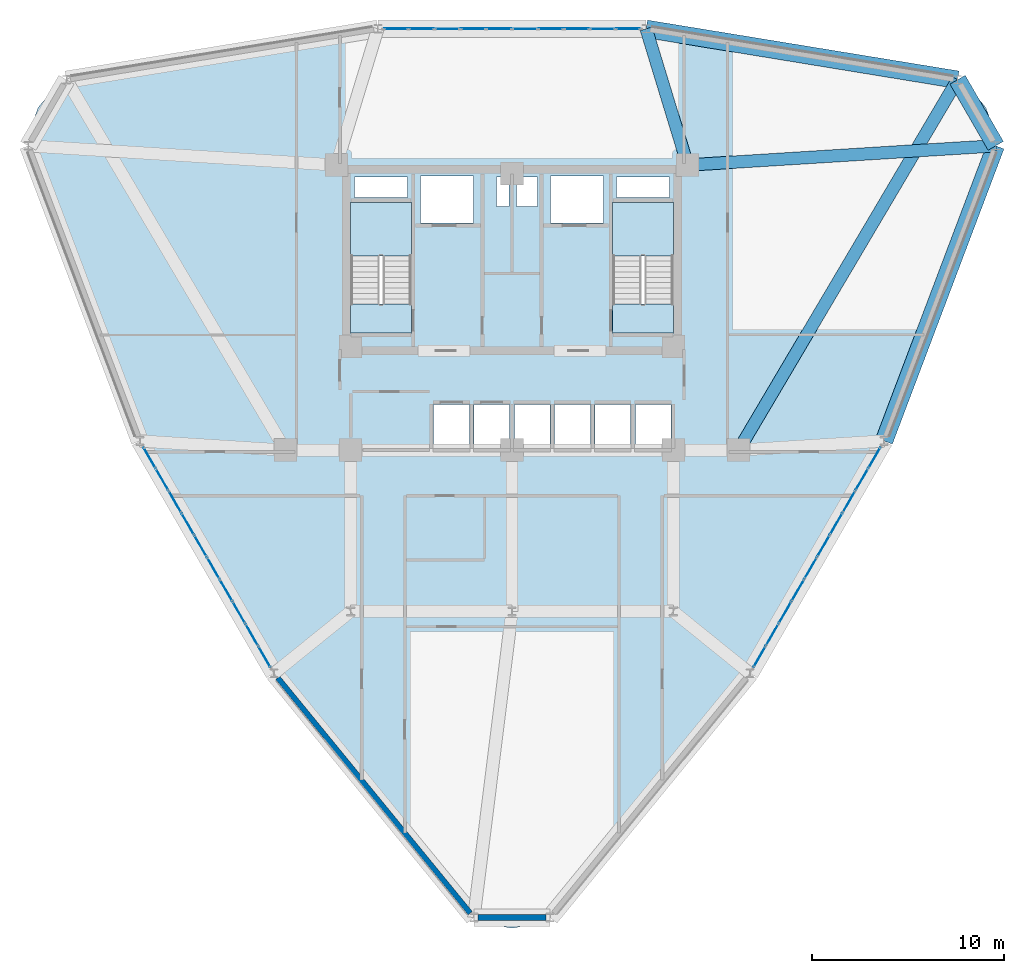
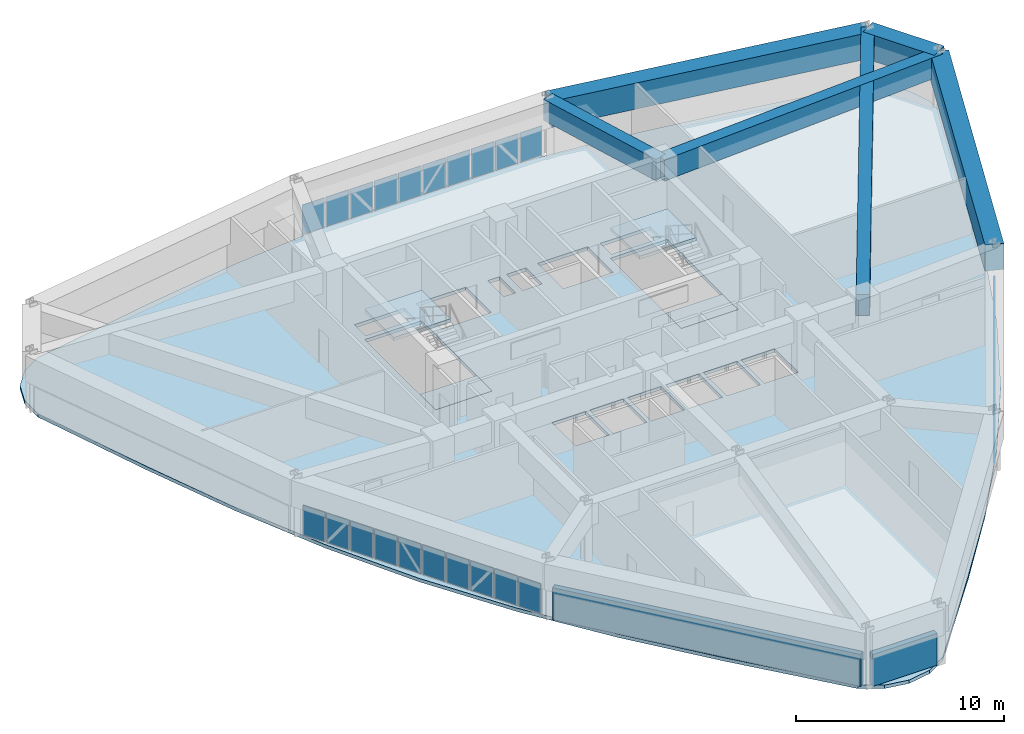
# One storey, part 9 of 15: 30 plates, 6 beams, 5 slabs, 2 walls, 5 elements without a shape of their own.
"""IFC4 building model written with IfcOpenShell, lengths in metres."""

from ifc_helpers import new_model, si_unit, derived_unit, direction, frame, frame_2d, origin, origin_2d, place, context, subcontext, project, spatial, polyline, rectangle, outline, extrude, source, transform, mapped, material, layer, layer_set, material_profile, profile_set, type_object, element, aggregate, save


model = new_model("IFC4")

# Units and contexts
model_context = context("Model", 3, precision=1e-05, world=origin(), true_north=direction((0.0, 1.0)))
body_context = subcontext(model_context, "Body", "Model", "MODEL_VIEW")
ifc_project = project(units=[si_unit("LENGTHUNIT", "METRE"), si_unit("AREAUNIT", "SQUARE_METRE"), si_unit("VOLUMEUNIT", "CUBIC_METRE"), si_unit("PLANEANGLEUNIT", "RADIAN"), si_unit("MASSUNIT", "GRAM", prefix="KILO"), derived_unit("THERMALTRANSMITTANCEUNIT", [(si_unit("POWERUNIT", "WATT"), 1), (si_unit("LENGTHUNIT", "METRE"), -2), (si_unit("THERMODYNAMICTEMPERATUREUNIT", "KELVIN"), -1)])], contexts=[model_context])

# Site, building, storey
site_placement = place(None, origin())
site = spatial("IfcSite", under=ifc_project, at=site_placement, CompositionType="ELEMENT")
building_placement = place(site_placement, origin())
building = spatial("IfcBuilding", under=site, at=building_placement, Name="Korsvarv Bourse and Concert Hall", CompositionType="ELEMENT")
storey_placement = place(building_placement, frame((0.0, 0.0, 109.800048828125)))
storey = spatial("IfcBuildingStorey", under=building, at=storey_placement, Name="L27", CompositionType="ELEMENT", Elevation=109.800048828125)

# Beams
ifc_material_1 = material(Name="Concrete C50/60", Category="concrete")
ifc_material_profile_1 = material_profile(ifc_material_1, rectangle(XDim=0.919921875, YDim=1.530029296875, at=origin_2d()), Name="RC-BM 920x1530")
ifc_profile_set_1 = profile_set([ifc_material_profile_1], Name="Concrete C50/60")
beam_type_1 = type_object("IfcBeamType", Name="BM-TR-154", PredefinedType="BEAM", material=ifc_profile_set_1)
shared_shape_1 = source(origin(), body_context, "Body", "SweptSolid", [
    extrude(rectangle(XDim=0.919921875, YDim=1.530029296875, at=origin_2d()), origin(), (0.0, 0.0, 1.0), 3.974609375),
])
beam_1_placement = place(storey_placement, frame((61.19482421875, 48.25146484375, 2.635009765625), z_axis=(-0.499997169302, 0.866027038082, 0.0), x_axis=(-0.866027038082, -0.499997169302, 0.0)))
element("IfcBeam", 1, at=beam_1_placement, inside=storey, type_object=beam_type_1, Name="L27 beam B-TR6", PredefinedType="BEAM", context=body_context, shape_type="MappedRepresentation", body=[
    mapped(shared_shape_1, transform((0.0, 0.0, 0.0), scale=1.0)),
])
shared_shape_2 = source(origin(), body_context, "Body", "SweptSolid", [
    extrude(rectangle(XDim=0.919921875, YDim=1.530029296875, at=origin_2d()), origin(), (0.0, 0.0, 1.0), 16.4345703125),
])
beam_2_placement = place(storey_placement, frame((59.20751953125, 51.693603515625, 2.635009765625), z_axis=(-0.986905771887, 0.161297853107, 0.0), x_axis=(-0.161297853107, -0.986905771887, 0.0)))
element("IfcBeam", 2, at=beam_2_placement, inside=storey, type_object=beam_type_1, Name="L27 beam B-TR6", PredefinedType="BEAM", context=body_context, shape_type="MappedRepresentation", body=[
    mapped(shared_shape_2, transform((0.0, 0.0, 0.0), scale=1.0)),
])
shared_shape_3 = source(origin(), body_context, "Body", "SweptSolid", [
    extrude(rectangle(XDim=0.919921875, YDim=1.530029296875, at=origin_2d()), origin(), (0.0, 0.0, 1.0), 16.434814453125),
])
beam_3_placement = place(storey_placement, frame((55.380859375, 32.87939453125, 2.635009765625), z_axis=(0.353759337672, 0.935336480102, 0.0), x_axis=(-0.935336480102, 0.353759337672, 0.0)))
element("IfcBeam", 3, at=beam_3_placement, inside=storey, type_object=beam_type_1, Name="L27 beam B-TR6", PredefinedType="BEAM", context=body_context, shape_type="MappedRepresentation", body=[
    mapped(shared_shape_3, transform((0.0, 0.0, 0.0), scale=1.0)),
])
ifc_material_profile_2 = material_profile(ifc_material_1, rectangle(XDim=0.64990234375, YDim=1.239990234375, at=origin_2d()), Name="RC-BM 650x1240")
ifc_profile_set_2 = profile_set([ifc_material_profile_2], Name="Concrete C50/60")
beam_type_2 = type_object("IfcBeamType", Name="BM-TR-SPN", PredefinedType="BEAM", material=ifc_profile_set_2)
shared_shape_4 = source(origin(), body_context, "Body", "SweptSolid", [
    extrude(rectangle(XDim=0.64990234375, YDim=1.239990234375, at=origin_2d()), origin(), (0.0, 0.0, 1.0), 16.076171875),
])
beam_4_placement = place(storey_placement, frame((61.19482421875, 48.25146484375, 2.780029296875), z_axis=(-0.998057775067, -0.062295085108, 0.0), x_axis=(0.062295085108, -0.998057775067, 0.0)))
element("IfcBeam", 4, at=beam_4_placement, inside=storey, type_object=beam_type_2, Name="L27 beam B-TRS", PredefinedType="BEAM", context=body_context, shape_type="MappedRepresentation", body=[
    mapped(shared_shape_4, transform((0.0, 0.0, 0.0), scale=1.0)),
])
shared_shape_5 = source(origin(), body_context, "Body", "SweptSolid", [
    extrude(rectangle(XDim=0.64990234375, YDim=1.239990234375, at=origin_2d()), origin(), (0.0, 0.0, 1.0), 22.413818359375),
])
beam_5_placement = place(storey_placement, frame((59.20751953125, 51.693603515625, 2.780029296875), z_axis=(-0.508949112593, -0.860796608259, 0.0), x_axis=(0.860796608259, -0.508949112593, 0.0)))
element("IfcBeam", 5, at=beam_5_placement, inside=storey, type_object=beam_type_2, Name="L27 beam B-TRS", PredefinedType="BEAM", context=body_context, shape_type="MappedRepresentation", body=[
    mapped(shared_shape_5, transform((0.0, 0.0, 0.0), scale=1.0)),
])
shared_shape_6 = source(origin(), body_context, "Body", "SweptSolid", [
    extrude(rectangle(XDim=0.64990234375, YDim=1.239990234375, at=origin_2d()), origin(), (0.0, 0.0, 1.0), 7.41650390625),
])
beam_6_placement = place(storey_placement, frame((42.988037109375, 54.344482421875, 2.780029296875), z_axis=(0.291491692849, -0.956573359968, 0.0), x_axis=(0.956573359968, 0.291491692849, 0.0)))
element("IfcBeam", 6, at=beam_6_placement, inside=storey, type_object=beam_type_2, Name="L27 beam B-TRS", PredefinedType="BEAM", context=body_context, shape_type="MappedRepresentation", body=[
    mapped(shared_shape_6, transform((0.0, 0.0, 0.0), scale=1.0)),
])

# Slabs
ifc_material_2 = material(Name="Precast concrete C45/55", Category="concrete")
ifc_layer_1 = layer(ifc_material_2, 0.199951171875)
ifc_layer_set_1 = layer_set([ifc_layer_1], Name="Precast concrete C45/55")
slab_type_1 = type_object("IfcSlabType", Name="SLB-FLND-T", PredefinedType="LANDING", material=ifc_layer_set_1)
slab_1_placement = place(storey_placement, frame((0.0, 0.0, -0.199951171875)))
element("IfcSlab", 7, at=slab_1_placement, inside=storey, type_object=slab_type_1, Name="L27 Stair ST-T1 Floor Landing Slab", PredefinedType="LANDING", context=body_context, shape_type="SweptSolid", body=[
    extrude(outline(polyline([(30.760009765625, 38.5), (30.760009765625, 40.0), (27.60009765625, 40.0), (27.60009765625, 38.5), (30.760009765625, 38.5)])), origin(), (0.0, 0.0, 1.0), 0.199951171875),
])
slab_2_placement = place(storey_placement, frame((0.0, 0.0, -0.199951171875)))
element("IfcSlab", 8, at=slab_2_placement, inside=storey, type_object=slab_type_1, Name="L27 Stair ST-T2 Floor Landing Slab", PredefinedType="LANDING", context=body_context, shape_type="SweptSolid", body=[
    extrude(outline(polyline([(44.39990234375, 38.5), (44.39990234375, 40.0), (41.239990234375, 40.0), (41.239990234375, 38.5), (44.39990234375, 38.5)])), origin(), (0.0, 0.0, 1.0), 0.199951171875),
])

# Stair, slab
stair_type = type_object("IfcStairType", Name="STR-TYPE-04", PredefinedType="HALF_TURN_STAIR", material=ifc_material_2)
stair_1_placement = place(storey_placement, origin())
stair_1 = element("IfcStair", 9, at=stair_1_placement, inside=storey, type_object=stair_type, Name="L27 Tower West Exit Stair ST-T1", PredefinedType="HALF_TURN_STAIR")
ifc_layer_2 = layer(ifc_material_2, 0.199951171875)
ifc_layer_set_2 = layer_set([ifc_layer_2], Name="Precast concrete C45/55")
slab_type_2 = type_object("IfcSlabType", Name="SLB-ST-LND", PredefinedType="LANDING", material=ifc_layer_set_2)
slab_3_placement = place(storey_placement, frame((0.0, 0.0, 1.599853515625)))
slab_3 = element("IfcSlab", 10, at=slab_3_placement, type_object=slab_type_2, Name="ST-T1 landing 1", PredefinedType="LANDING", context=body_context, shape_type="SweptSolid", body=[
    extrude(outline(polyline([(30.760009765625, 42.52001953125), (30.760009765625, 45.300048828125), (27.60009765625, 45.300048828125), (27.60009765625, 42.52001953125), (30.760009765625, 42.52001953125)])), origin(), (0.0, 0.0, 1.0), 0.2001953125),
])
aggregate(stair_1, [slab_3])

stair_2_placement = place(storey_placement, origin())
stair_2 = element("IfcStair", 11, at=stair_2_placement, inside=storey, type_object=stair_type, Name="L27 Tower East Exit Stair ST-T2", PredefinedType="HALF_TURN_STAIR")
slab_4_placement = place(storey_placement, frame((0.0, 0.0, 1.599853515625)))
slab_4 = element("IfcSlab", 12, at=slab_4_placement, type_object=slab_type_2, Name="ST-T2 landing 1", PredefinedType="LANDING", context=body_context, shape_type="SweptSolid", body=[
    extrude(outline(polyline([(44.39990234375, 42.52001953125), (44.39990234375, 45.300048828125), (41.239990234375, 45.300048828125), (41.239990234375, 42.52001953125), (44.39990234375, 42.52001953125)])), origin(), (0.0, 0.0, 1.0), 0.2001953125),
])
aggregate(stair_2, [slab_4])

# Slab
ifc_material_3 = material(Name="Concrete C45/55", Category="concrete")
ifc_layer_3 = layer(ifc_material_3, 0.199951171875)
ifc_layer_set_3 = layer_set([ifc_layer_3], Name="Concrete C45/55")
slab_type_3 = type_object("IfcSlabType", Name="SLB-TW2", PredefinedType="FLOOR", material=ifc_layer_set_3)
slab_5_placement = place(storey_placement, frame((0.0, 0.0, -0.199951171875)))
element("IfcSlab", 13, at=slab_5_placement, inside=storey, type_object=slab_type_3, Name="L27 tower structural floor slab", PredefinedType="FLOOR", context=body_context, shape_type="SweptSolid", body=[
    extrude(outline(polyline([(60.62451171875, 46.426025390625), (58.7880859375, 41.29345703125), (56.8310546875, 36.255859375), (54.64453125, 31.371337890625), (52.154296875, 26.67333984375), (49.330810546875, 22.167724609375), (46.19384765625, 17.831787109375), (42.809814453125, 13.6181640625), (39.283203125, 9.461669921875), (39.280029296875, 9.4580078125), (38.3603515625, 8.362060546875), (37.256103515625, 7.724609375), (36.0, 7.5029296875), (34.743896484375, 7.724609375), (33.6396484375, 8.362060546875), (32.719970703125, 9.4580078125), (32.716796875, 9.461669921875), (29.190185546875, 13.6181640625), (25.80615234375, 17.831787109375), (22.669189453125, 22.167724609375), (19.845703125, 26.67333984375), (17.35546875, 31.371337890625), (15.1689453125, 36.255859375), (13.2119140625, 41.29345703125), (11.37548828125, 46.426025390625), (11.373779296875, 46.430419921875), (10.884765625, 47.77490234375), (10.884765625, 49.050048828125), (11.32080078125, 50.24853515625), (12.140625, 51.2255859375), (13.2451171875, 51.863037109375), (14.65380859375, 52.111572265625), (14.65869140625, 52.1123046875), (20.021728515625, 53.08837890625), (25.36279296875, 53.912353515625), (30.686279296875, 54.4609375), (36.0, 54.6533203125), (41.313720703125, 54.4609375), (46.63720703125, 53.912353515625), (51.978271484375, 53.08837890625), (57.34130859375, 52.1123046875), (57.34619140625, 52.111572265625), (58.7548828125, 51.863037109375), (59.859375, 51.2255859375), (60.67919921875, 50.24853515625), (61.115234375, 49.050048828125), (61.115234375, 47.77490234375), (60.626220703125, 46.430419921875), (60.62451171875, 46.426025390625)]), holes=[polyline([(30.760009765625, 38.5), (30.760009765625, 45.300048828125), (27.60009765625, 45.300048828125), (27.60009765625, 38.5), (30.760009765625, 38.5)]), polyline([(44.39990234375, 38.5), (44.39990234375, 45.300048828125), (41.239990234375, 45.300048828125), (41.239990234375, 38.5), (44.39990234375, 38.5)]), polyline([(31.239990234375, 44.219970703125), (34.0, 44.219970703125), (34.0, 46.679931640625), (31.239990234375, 46.679931640625), (31.239990234375, 44.219970703125)]), polyline([(38.0, 44.219970703125), (40.760009765625, 44.219970703125), (40.760009765625, 46.679931640625), (38.0, 46.679931640625), (38.0, 44.219970703125)]), polyline([(31.919921875, 32.52001953125), (33.780029296875, 32.52001953125), (33.780029296875, 34.780029296875), (31.919921875, 34.780029296875), (31.919921875, 32.52001953125)]), polyline([(34.02001953125, 32.52001953125), (35.8798828125, 32.52001953125), (35.8798828125, 34.780029296875), (34.02001953125, 34.780029296875), (34.02001953125, 32.52001953125)]), polyline([(36.1201171875, 32.52001953125), (37.97998046875, 32.52001953125), (37.97998046875, 34.780029296875), (36.1201171875, 34.780029296875), (36.1201171875, 32.52001953125)]), polyline([(38.219970703125, 32.52001953125), (40.080078125, 32.52001953125), (40.080078125, 34.780029296875), (38.219970703125, 34.780029296875), (38.219970703125, 32.52001953125)]), polyline([(40.320068359375, 32.52001953125), (42.179931640625, 32.52001953125), (42.179931640625, 34.780029296875), (40.320068359375, 34.780029296875), (40.320068359375, 32.52001953125)]), polyline([(42.419921875, 32.52001953125), (44.280029296875, 32.52001953125), (44.280029296875, 34.780029296875), (42.419921875, 34.780029296875), (42.419921875, 32.52001953125)]), polyline([(27.800048828125, 45.56005859375), (30.56005859375, 45.56005859375), (30.56005859375, 46.6201171875), (27.800048828125, 46.6201171875), (27.800048828125, 45.56005859375)]), polyline([(41.43994140625, 45.56005859375), (44.199951171875, 45.56005859375), (44.199951171875, 46.6201171875), (41.43994140625, 46.6201171875), (41.43994140625, 45.56005859375)]), polyline([(35.199951171875, 45.080078125), (35.840087890625, 45.080078125), (35.840087890625, 46.6201171875), (35.199951171875, 46.6201171875), (35.199951171875, 45.080078125)]), polyline([(36.239990234375, 45.080078125), (37.320068359375, 45.080078125), (37.320068359375, 46.6201171875), (36.239990234375, 46.6201171875), (36.239990234375, 45.080078125)])]), origin(), (0.0, 0.0, 1.0), 0.199951171875),
])

# Curtain wall, plates
ifc_material_4 = material(Name="Anodised aluminium and triple low-E glazing", Category="glass")
ifc_layer_4 = layer(ifc_material_4, 0.2099609375)
ifc_layer_set_4 = layer_set([ifc_layer_4], Name="Anodised aluminium and triple low-E glazing")
curtain_wall_type = type_object("IfcCurtainWallType", Name="CW-SYS-2", PredefinedType="NOTDEFINED", material=ifc_layer_set_4)
curtain_wall_1_placement = place(storey_placement, origin())
curtain_wall_1 = element("IfcCurtainWall", 14, at=curtain_wall_1_placement, inside=storey, type_object=curtain_wall_type, Name="L27 CW2 curtain wall CW-L27-F03", PredefinedType="NOTDEFINED")
ifc_material_5 = material(Name="Tempered triple insulated low-E architectural glass", Category="glass")
ifc_layer_5 = layer(ifc_material_5, 0.0380859375)
ifc_layer_set_5 = layer_set([ifc_layer_5], Name="Tempered triple insulated low-E architectural glass")
plate_type_1 = type_object("IfcPlateType", Name="CWP-VIS2", PredefinedType="CURTAIN_PANEL", material=ifc_layer_set_5)
shared_shape_7 = source(origin(), body_context, "Body", "SweptSolid", [
    extrude(rectangle(XDim=1.24072265625, YDim=0.0380859375, at=origin_2d()), origin(), (0.0, 0.0, 1.0), 1.739990234375),
])
plate_1_placement = place(storey_placement, frame((42.03857421875, 54.344482421875, 0.06494140625), z_axis=(0.0, 0.0, 1.0), x_axis=(-1.0, 0.0, 0.0)))
plate_1 = element("IfcPlate", 15, at=plate_1_placement, type_object=plate_type_1, Name="CW2 faceted panel 1.1", PredefinedType="CURTAIN_PANEL", context=body_context, shape_type="MappedRepresentation", body=[
    mapped(shared_shape_7, transform((0.0, 0.0, 0.0), scale=1.0)),
])
plate_2_placement = place(storey_placement, frame((29.96142578125, 54.344482421875, 0.06494140625), z_axis=(0.0, 0.0, 1.0), x_axis=(-1.0, 0.0, 0.0)))
plate_2 = element("IfcPlate", 16, at=plate_2_placement, type_object=plate_type_1, Name="CW2 faceted panel 10.1", PredefinedType="CURTAIN_PANEL", context=body_context, shape_type="MappedRepresentation", body=[
    mapped(shared_shape_7, transform((0.0, 0.0, 0.0), scale=1.0)),
])
ifc_material_6 = material(Name="Insulated spandrel glass", Category="glass")
ifc_layer_6 = layer(ifc_material_6, 0.031982421875)
ifc_layer_set_6 = layer_set([ifc_layer_6], Name="Insulated spandrel glass")
plate_type_2 = type_object("IfcPlateType", Name="CWP-SPD1", PredefinedType="CURTAIN_PANEL", material=ifc_layer_set_6)
shared_shape_8 = source(origin(), body_context, "Body", "SweptSolid", [
    extrude(rectangle(XDim=1.27587890625, YDim=0.031982421875, at=origin_2d()), origin(), (0.0, 0.0, 1.0), 1.739990234375),
])
plate_3_placement = place(storey_placement, frame((40.710205078125, 54.344482421875, 0.06494140625), z_axis=(0.0, 0.0, 1.0), x_axis=(-1.0, 0.0, 0.0)))
plate_3 = element("IfcPlate", 17, at=plate_3_placement, type_object=plate_type_2, Name="CW2 spandrel shadow-box panel 2.1", PredefinedType="CURTAIN_PANEL", context=body_context, shape_type="MappedRepresentation", body=[
    mapped(shared_shape_8, transform((0.0, 0.0, 0.0), scale=1.0)),
])
plate_4_placement = place(storey_placement, frame((36.6728515625, 54.344482421875, 0.06494140625), z_axis=(0.0, 0.0, 1.0), x_axis=(-1.0, 0.0, 0.0)))
plate_4 = element("IfcPlate", 18, at=plate_4_placement, type_object=plate_type_2, Name="CW2 spandrel shadow-box panel 5.1", PredefinedType="CURTAIN_PANEL", context=body_context, shape_type="MappedRepresentation", body=[
    mapped(shared_shape_8, transform((0.0, 0.0, 0.0), scale=1.0)),
])
plate_5_placement = place(storey_placement, frame((32.635498046875, 54.344482421875, 0.06494140625), z_axis=(0.0, 0.0, 1.0), x_axis=(-1.0, 0.0, 0.0)))
plate_5 = element("IfcPlate", 19, at=plate_5_placement, type_object=plate_type_2, Name="CW2 spandrel shadow-box panel 8.1", PredefinedType="CURTAIN_PANEL", context=body_context, shape_type="MappedRepresentation", body=[
    mapped(shared_shape_8, transform((0.0, 0.0, 0.0), scale=1.0)),
])
shared_shape_9 = source(origin(), body_context, "Body", "SweptSolid", [
    extrude(rectangle(XDim=1.27587890625, YDim=0.0380859375, at=origin_2d()), origin(), (0.0, 0.0, 1.0), 1.739990234375),
])
plate_6_placement = place(storey_placement, frame((39.364501953125, 54.344482421875, 0.06494140625), z_axis=(0.0, 0.0, 1.0), x_axis=(-1.0, 0.0, 0.0)))
plate_6 = element("IfcPlate", 20, at=plate_6_placement, type_object=plate_type_1, Name="CW2 faceted panel 3.1", PredefinedType="CURTAIN_PANEL", context=body_context, shape_type="MappedRepresentation", body=[
    mapped(shared_shape_9, transform((0.0, 0.0, 0.0), scale=1.0)),
])
plate_7_placement = place(storey_placement, frame((38.018798828125, 54.344482421875, 0.06494140625), z_axis=(0.0, 0.0, 1.0), x_axis=(-1.0, 0.0, 0.0)))
plate_7 = element("IfcPlate", 21, at=plate_7_placement, type_object=plate_type_1, Name="CW2 faceted panel 4.1", PredefinedType="CURTAIN_PANEL", context=body_context, shape_type="MappedRepresentation", body=[
    mapped(shared_shape_9, transform((0.0, 0.0, 0.0), scale=1.0)),
])
plate_8_placement = place(storey_placement, frame((35.3271484375, 54.344482421875, 0.06494140625), z_axis=(0.0, 0.0, 1.0), x_axis=(-1.0, 0.0, 0.0)))
plate_8 = element("IfcPlate", 22, at=plate_8_placement, type_object=plate_type_1, Name="CW2 faceted panel 6.1", PredefinedType="CURTAIN_PANEL", context=body_context, shape_type="MappedRepresentation", body=[
    mapped(shared_shape_9, transform((0.0, 0.0, 0.0), scale=1.0)),
])
plate_9_placement = place(storey_placement, frame((33.981201171875, 54.344482421875, 0.06494140625), z_axis=(0.0, 0.0, 1.0), x_axis=(-1.0, 0.0, 0.0)))
plate_9 = element("IfcPlate", 23, at=plate_9_placement, type_object=plate_type_1, Name="CW2 faceted panel 7.1", PredefinedType="CURTAIN_PANEL", context=body_context, shape_type="MappedRepresentation", body=[
    mapped(shared_shape_9, transform((0.0, 0.0, 0.0), scale=1.0)),
])
plate_10_placement = place(storey_placement, frame((31.289794921875, 54.344482421875, 0.06494140625), z_axis=(0.0, 0.0, 1.0), x_axis=(-1.0, 0.0, 0.0)))
plate_10 = element("IfcPlate", 24, at=plate_10_placement, type_object=plate_type_1, Name="CW2 faceted panel 9.1", PredefinedType="CURTAIN_PANEL", context=body_context, shape_type="MappedRepresentation", body=[
    mapped(shared_shape_9, transform((0.0, 0.0, 0.0), scale=1.0)),
])
aggregate(curtain_wall_1, [plate_1, plate_3, plate_6, plate_7, plate_4, plate_8, plate_9, plate_5, plate_10, plate_2])

curtain_wall_2_placement = place(storey_placement, origin())
curtain_wall_2 = element("IfcCurtainWall", 25, at=curtain_wall_2_placement, inside=storey, type_object=curtain_wall_type, Name="L27 CW2 curtain wall CW-L27-F07", PredefinedType="NOTDEFINED")
shared_shape_10 = source(origin(), body_context, "Body", "SweptSolid", [
    extrude(rectangle(XDim=1.228515625, YDim=0.0380859375, at=origin_2d()), origin(), (0.0, 0.0, 1.0), 1.739990234375),
])
plate_11_placement = place(storey_placement, frame((17.121337890625, 32.009521484375, 0.06494140625), z_axis=(0.0, 0.0, 1.0), x_axis=(0.500006337402, -0.866021744853, 0.0)))
plate_11 = element("IfcPlate", 26, at=plate_11_placement, type_object=plate_type_1, Name="CW2 faceted panel 1.1", PredefinedType="CURTAIN_PANEL", context=body_context, shape_type="MappedRepresentation", body=[
    mapped(shared_shape_10, transform((0.0, 0.0, 0.0), scale=1.0)),
])
plate_12_placement = place(storey_placement, frame((23.10498046875, 21.64599609375, 0.06494140625), z_axis=(0.0, 0.0, 1.0), x_axis=(0.500006337402, -0.866021744853, 0.0)))
plate_12 = element("IfcPlate", 27, at=plate_12_placement, type_object=plate_type_1, Name="CW2 faceted panel 10.1", PredefinedType="CURTAIN_PANEL", context=body_context, shape_type="MappedRepresentation", body=[
    mapped(shared_shape_10, transform((0.0, 0.0, 0.0), scale=1.0)),
])

curtain_wall_3_placement = place(storey_placement, origin())
curtain_wall_3 = element("IfcCurtainWall", 28, at=curtain_wall_3_placement, inside=storey, type_object=curtain_wall_type, Name="L27 CW2 curtain wall CW-L27-F11", PredefinedType="NOTDEFINED")
plate_13_placement = place(storey_placement, frame((48.89501953125, 21.64599609375, 0.06494140625), z_axis=(0.0, 0.0, 1.0), x_axis=(0.500006337402, 0.866021744853, 0.0)))
plate_13 = element("IfcPlate", 29, at=plate_13_placement, type_object=plate_type_1, Name="CW2 faceted panel 1.1", PredefinedType="CURTAIN_PANEL", context=body_context, shape_type="MappedRepresentation", body=[
    mapped(shared_shape_10, transform((0.0, 0.0, 0.0), scale=1.0)),
])
plate_14_placement = place(storey_placement, frame((54.878662109375, 32.009521484375, 0.06494140625), z_axis=(0.0, 0.0, 1.0), x_axis=(0.500006337402, 0.866021744853, 0.0)))
plate_14 = element("IfcPlate", 30, at=plate_14_placement, type_object=plate_type_1, Name="CW2 faceted panel 10.1", PredefinedType="CURTAIN_PANEL", context=body_context, shape_type="MappedRepresentation", body=[
    mapped(shared_shape_10, transform((0.0, 0.0, 0.0), scale=1.0)),
])

# Plate
shared_shape_11 = source(origin(), body_context, "Body", "SweptSolid", [
    extrude(rectangle(XDim=1.263427734375, YDim=0.031982421875, at=origin_2d()), origin(), (0.0, 0.0, 1.0), 1.739990234375),
])
plate_15_placement = place(storey_placement, frame((17.779541015625, 30.86962890625, 0.06494140625), z_axis=(0.0, 0.0, 1.0), x_axis=(0.500006337402, -0.866021744853, 0.0)))
plate_15 = element("IfcPlate", 31, at=plate_15_placement, type_object=plate_type_2, Name="CW2 spandrel shadow-box panel 2.1", PredefinedType="CURTAIN_PANEL", context=body_context, shape_type="MappedRepresentation", body=[
    mapped(shared_shape_11, transform((0.0, 0.0, 0.0), scale=1.0)),
])

plate_16_placement = place(storey_placement, frame((19.77978515625, 27.405029296875, 0.06494140625), z_axis=(0.0, 0.0, 1.0), x_axis=(0.500006337402, -0.866021744853, 0.0)))
plate_16 = element("IfcPlate", 32, at=plate_16_placement, type_object=plate_type_2, Name="CW2 spandrel shadow-box panel 5.1", PredefinedType="CURTAIN_PANEL", context=body_context, shape_type="MappedRepresentation", body=[
    mapped(shared_shape_11, transform((0.0, 0.0, 0.0), scale=1.0)),
])

plate_17_placement = place(storey_placement, frame((21.780029296875, 23.9404296875, 0.06494140625), z_axis=(0.0, 0.0, 1.0), x_axis=(0.500006337402, -0.866021744853, 0.0)))
plate_17 = element("IfcPlate", 33, at=plate_17_placement, type_object=plate_type_2, Name="CW2 spandrel shadow-box panel 8.1", PredefinedType="CURTAIN_PANEL", context=body_context, shape_type="MappedRepresentation", body=[
    mapped(shared_shape_11, transform((0.0, 0.0, 0.0), scale=1.0)),
])

plate_18_placement = place(storey_placement, frame((49.55322265625, 22.78564453125, 0.06494140625), z_axis=(0.0, 0.0, 1.0), x_axis=(0.500006337402, 0.866021744853, 0.0)))
plate_18 = element("IfcPlate", 34, at=plate_18_placement, type_object=plate_type_2, Name="CW2 spandrel shadow-box panel 2.1", PredefinedType="CURTAIN_PANEL", context=body_context, shape_type="MappedRepresentation", body=[
    mapped(shared_shape_11, transform((0.0, 0.0, 0.0), scale=1.0)),
])

plate_19_placement = place(storey_placement, frame((51.553466796875, 26.250244140625, 0.06494140625), z_axis=(0.0, 0.0, 1.0), x_axis=(0.500006337402, 0.866021744853, 0.0)))
plate_19 = element("IfcPlate", 35, at=plate_19_placement, type_object=plate_type_2, Name="CW2 spandrel shadow-box panel 5.1", PredefinedType="CURTAIN_PANEL", context=body_context, shape_type="MappedRepresentation", body=[
    mapped(shared_shape_11, transform((0.0, 0.0, 0.0), scale=1.0)),
])

plate_20_placement = place(storey_placement, frame((53.5537109375, 29.71484375, 0.06494140625), z_axis=(0.0, 0.0, 1.0), x_axis=(0.500006337402, 0.866021744853, 0.0)))
plate_20 = element("IfcPlate", 36, at=plate_20_placement, type_object=plate_type_2, Name="CW2 spandrel shadow-box panel 8.1", PredefinedType="CURTAIN_PANEL", context=body_context, shape_type="MappedRepresentation", body=[
    mapped(shared_shape_11, transform((0.0, 0.0, 0.0), scale=1.0)),
])

shared_shape_12 = source(origin(), body_context, "Body", "SweptSolid", [
    extrude(rectangle(XDim=1.263427734375, YDim=0.0380859375, at=origin_2d()), origin(), (0.0, 0.0, 1.0), 1.739990234375),
])
plate_21_placement = place(storey_placement, frame((18.4462890625, 29.71484375, 0.06494140625), z_axis=(0.0, 0.0, 1.0), x_axis=(0.500006337402, -0.866021744853, 0.0)))
plate_21 = element("IfcPlate", 37, at=plate_21_placement, type_object=plate_type_1, Name="CW2 faceted panel 3.1", PredefinedType="CURTAIN_PANEL", context=body_context, shape_type="MappedRepresentation", body=[
    mapped(shared_shape_12, transform((0.0, 0.0, 0.0), scale=1.0)),
])

plate_22_placement = place(storey_placement, frame((19.113037109375, 28.56005859375, 0.06494140625), z_axis=(0.0, 0.0, 1.0), x_axis=(0.500006337402, -0.866021744853, 0.0)))
plate_22 = element("IfcPlate", 38, at=plate_22_placement, type_object=plate_type_1, Name="CW2 faceted panel 4.1", PredefinedType="CURTAIN_PANEL", context=body_context, shape_type="MappedRepresentation", body=[
    mapped(shared_shape_12, transform((0.0, 0.0, 0.0), scale=1.0)),
])

plate_23_placement = place(storey_placement, frame((20.446533203125, 26.250244140625, 0.06494140625), z_axis=(0.0, 0.0, 1.0), x_axis=(0.500006337402, -0.866021744853, 0.0)))
plate_23 = element("IfcPlate", 39, at=plate_23_placement, type_object=plate_type_1, Name="CW2 faceted panel 6.1", PredefinedType="CURTAIN_PANEL", context=body_context, shape_type="MappedRepresentation", body=[
    mapped(shared_shape_12, transform((0.0, 0.0, 0.0), scale=1.0)),
])

plate_24_placement = place(storey_placement, frame((21.11328125, 25.095458984375, 0.06494140625), z_axis=(0.0, 0.0, 1.0), x_axis=(0.500006337402, -0.866021744853, 0.0)))
plate_24 = element("IfcPlate", 40, at=plate_24_placement, type_object=plate_type_1, Name="CW2 faceted panel 7.1", PredefinedType="CURTAIN_PANEL", context=body_context, shape_type="MappedRepresentation", body=[
    mapped(shared_shape_12, transform((0.0, 0.0, 0.0), scale=1.0)),
])

plate_25_placement = place(storey_placement, frame((22.44677734375, 22.78564453125, 0.06494140625), z_axis=(0.0, 0.0, 1.0), x_axis=(0.500006337402, -0.866021744853, 0.0)))
plate_25 = element("IfcPlate", 41, at=plate_25_placement, type_object=plate_type_1, Name="CW2 faceted panel 9.1", PredefinedType="CURTAIN_PANEL", context=body_context, shape_type="MappedRepresentation", body=[
    mapped(shared_shape_12, transform((0.0, 0.0, 0.0), scale=1.0)),
])

aggregate(curtain_wall_2, [plate_11, plate_15, plate_21, plate_22, plate_16, plate_23, plate_24, plate_17, plate_25, plate_12])

plate_26_placement = place(storey_placement, frame((50.219970703125, 23.9404296875, 0.06494140625), z_axis=(0.0, 0.0, 1.0), x_axis=(0.500006337402, 0.866021744853, 0.0)))
plate_26 = element("IfcPlate", 42, at=plate_26_placement, type_object=plate_type_1, Name="CW2 faceted panel 3.1", PredefinedType="CURTAIN_PANEL", context=body_context, shape_type="MappedRepresentation", body=[
    mapped(shared_shape_12, transform((0.0, 0.0, 0.0), scale=1.0)),
])

plate_27_placement = place(storey_placement, frame((50.88671875, 25.095458984375, 0.06494140625), z_axis=(0.0, 0.0, 1.0), x_axis=(0.500006337402, 0.866021744853, 0.0)))
plate_27 = element("IfcPlate", 43, at=plate_27_placement, type_object=plate_type_1, Name="CW2 faceted panel 4.1", PredefinedType="CURTAIN_PANEL", context=body_context, shape_type="MappedRepresentation", body=[
    mapped(shared_shape_12, transform((0.0, 0.0, 0.0), scale=1.0)),
])

plate_28_placement = place(storey_placement, frame((52.22021484375, 27.405029296875, 0.06494140625), z_axis=(0.0, 0.0, 1.0), x_axis=(0.500006337402, 0.866021744853, 0.0)))
plate_28 = element("IfcPlate", 44, at=plate_28_placement, type_object=plate_type_1, Name="CW2 faceted panel 6.1", PredefinedType="CURTAIN_PANEL", context=body_context, shape_type="MappedRepresentation", body=[
    mapped(shared_shape_12, transform((0.0, 0.0, 0.0), scale=1.0)),
])

plate_29_placement = place(storey_placement, frame((52.886962890625, 28.56005859375, 0.06494140625), z_axis=(0.0, 0.0, 1.0), x_axis=(0.500006337402, 0.866021744853, 0.0)))
plate_29 = element("IfcPlate", 45, at=plate_29_placement, type_object=plate_type_1, Name="CW2 faceted panel 7.1", PredefinedType="CURTAIN_PANEL", context=body_context, shape_type="MappedRepresentation", body=[
    mapped(shared_shape_12, transform((0.0, 0.0, 0.0), scale=1.0)),
])

plate_30_placement = place(storey_placement, frame((54.220458984375, 30.86962890625, 0.06494140625), z_axis=(0.0, 0.0, 1.0), x_axis=(0.500006337402, 0.866021744853, 0.0)))
plate_30 = element("IfcPlate", 46, at=plate_30_placement, type_object=plate_type_1, Name="CW2 faceted panel 9.1", PredefinedType="CURTAIN_PANEL", context=body_context, shape_type="MappedRepresentation", body=[
    mapped(shared_shape_12, transform((0.0, 0.0, 0.0), scale=1.0)),
])

aggregate(curtain_wall_3, [plate_13, plate_18, plate_26, plate_27, plate_19, plate_28, plate_29, plate_20, plate_30, plate_14])

# Walls
ifc_material_7 = material(Name="Precast concrete C45/55 with terracotta rainscreen", Category="concrete")
ifc_layer_7 = layer(ifc_material_7, 0.300048828125)
ifc_layer_set_7 = layer_set([ifc_layer_7], Name="Precast concrete C45/55 with terracotta rainscreen")
wall_type_1 = type_object("IfcWallType", Name="WL-EXT-TC1", PredefinedType="SOLIDWALL", material=ifc_layer_set_7)
wall_1_placement = place(storey_placement, frame((34.2265625, 8.054931640625, 0.0), z_axis=(0.0, 0.0, 1.0), x_axis=(1.0, 0.0, 0.0)))
element("IfcWall", 47, at=wall_1_placement, inside=storey, type_object=wall_type_1, Name="L27 terracotta exterior wall EW-L27-B09", PredefinedType="SOLIDWALL", context=body_context, shape_type="SweptSolid", body=[
    extrude(rectangle(XDim=3.546875, YDim=0.300048828125, at=frame_2d((1.7734375, 0.0))), origin(), (0.0, 0.0, 1.0), 1.869873046875),
])
ifc_material_8 = material(Name="Precast concrete C45/55 with fluted terracotta pier", Category="concrete")
ifc_layer_8 = layer(ifc_material_8, 0.280029296875)
ifc_layer_set_8 = layer_set([ifc_layer_8], Name="Precast concrete C45/55 with fluted terracotta pier")
wall_type_2 = type_object("IfcWallType", Name="WL-EXT-TC2", PredefinedType="SOLIDWALL", material=ifc_layer_set_8)
wall_2_placement = place(storey_placement, frame((23.79736328125, 20.54345703125, 0.0), z_axis=(0.0, 0.0, 1.0), x_axis=(0.633140387555, -0.774036982092, 0.0)))
element("IfcWall", 48, at=wall_2_placement, inside=storey, type_object=wall_type_2, Name="L27 terracotta exterior wall EW-L27-B08", PredefinedType="SOLIDWALL", context=body_context, shape_type="SweptSolid", body=[
    extrude(rectangle(XDim=15.833984375, YDim=0.280029296875, at=frame_2d((7.9169921875, 0.0))), origin(), (0.0, 0.0, 1.0), 1.869873046875),
])

save(model, "model.ifc")
